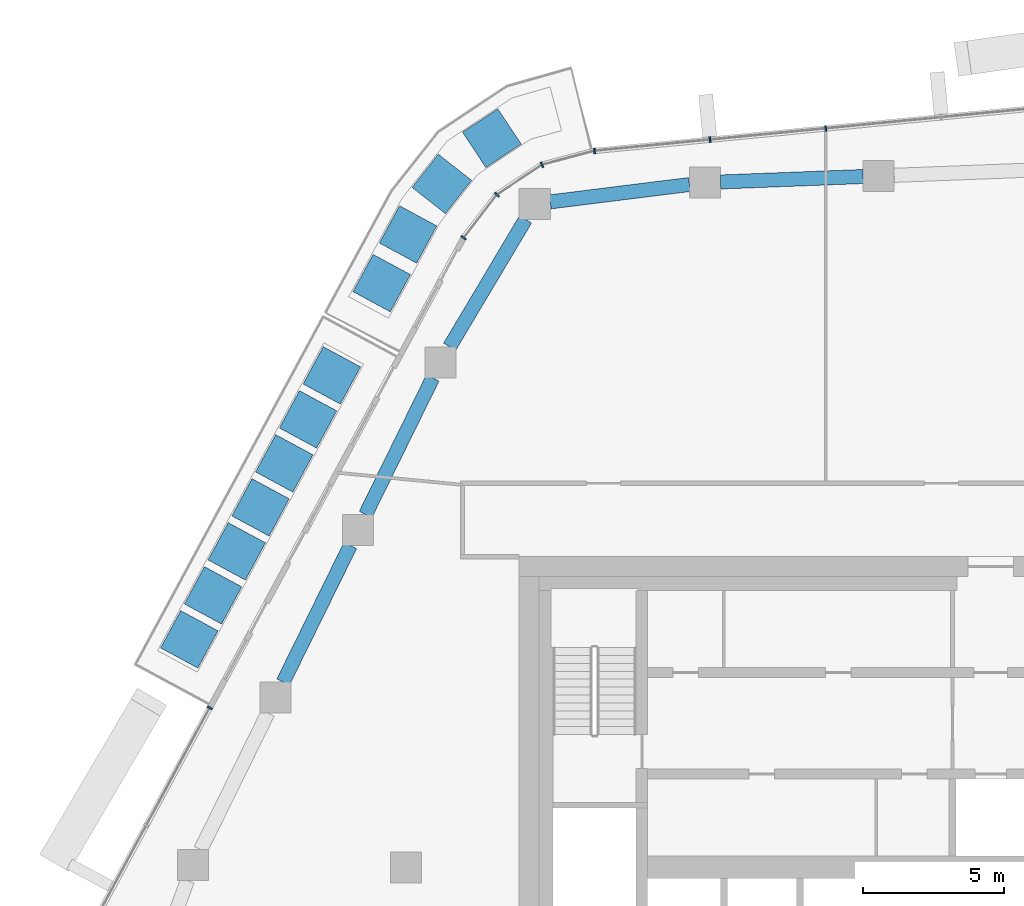
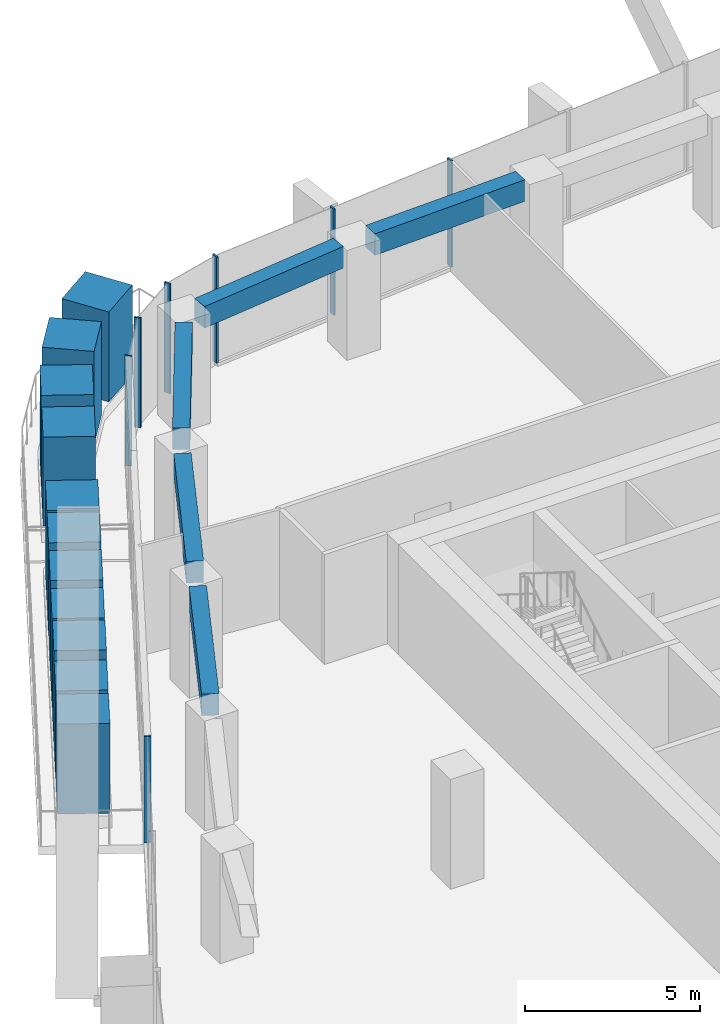
# One storey, part 6 of 20: 18 members, 5 beams, 3 elements without a shape of their own.
"""IFC4 building model written with IfcOpenShell, lengths in metres."""

from ifc_helpers import new_model, si_unit, direction, frame, origin, origin_2d, place, context, subcontext, project, spatial, rectangle, extrude, material, layer, layer_set, material_profile, profile_set, type_object, element, aggregate, save


model = new_model("IFC4")

# Units and contexts
model_context = context("Model", 3, precision=1e-05, world=origin(), true_north=direction((0.0, 1.0)))
body_context = subcontext(model_context, "Body", "Model", "MODEL_VIEW")
ifc_project = project(units=[si_unit("LENGTHUNIT", "METRE"), si_unit("AREAUNIT", "SQUARE_METRE"), si_unit("VOLUMEUNIT", "CUBIC_METRE"), si_unit("PLANEANGLEUNIT", "RADIAN"), si_unit("MASSUNIT", "GRAM", prefix="KILO")], contexts=[model_context])

# Site, building, storey
site_placement = place(None, origin())
site = spatial("IfcSite", under=ifc_project, at=site_placement, CompositionType="ELEMENT")
building_placement = place(site_placement, origin())
building = spatial("IfcBuilding", under=site, at=building_placement, Name="Dongbaek Canopy Tower", CompositionType="ELEMENT")
storey_placement = place(building_placement, frame((0.0, 0.0, 253.800048828125)))
storey = spatial("IfcBuildingStorey", under=building, at=storey_placement, Name="L53", CompositionType="ELEMENT", Elevation=253.800048828125)

# Curtain wall, members
ifc_material_1 = material(Name="Aluminium 6063-T6 pale anodised", Category="aluminium")
ifc_layer = layer(ifc_material_1, 0.199951171875)
ifc_layer_set = layer_set([ifc_layer], Name="CW-1 unitised tower curtain wall")
curtain_wall_type = type_object("IfcCurtainWallType", Name="CW-1 unitised tower curtain wall", PredefinedType="NOTDEFINED", material=ifc_layer_set)
curtain_wall_1_placement = place(storey_placement, origin())
curtain_wall_1 = element("IfcCurtainWall", 1, at=curtain_wall_1_placement, inside=storey, type_object=curtain_wall_type, Name="CW-1 curtain wall F1.1", PredefinedType="NOTDEFINED")
ifc_material_2 = material(Name="Aluminium 6063-T6 pale anodised", Category="aluminium")
ifc_material_profile_1 = material_profile(ifc_material_2, rectangle(XDim=0.199951171875, YDim=0.06005859375, at=origin_2d()), Name="CW-1 mullion 60 x 200")
ifc_profile_set_1 = profile_set([ifc_material_profile_1], Name="Aluminium 6063-T6 pale anodised")
member_type_1 = type_object("IfcMemberType", Name="CW-1 mullion 60 x 200", PredefinedType="MULLION", material=ifc_profile_set_1)
member_1_placement = place(storey_placement, frame((-3.141357421875, 26.161376953125, 0.119873046875), z_axis=(0.0, 0.0, 1.0), x_axis=(-0.096505718384, 0.995332430055, 0.0)))
member_1 = element("IfcMember", 2, at=member_1_placement, type_object=member_type_1, Name="CW-1 mullion F1.1.4", PredefinedType="MULLION", context=body_context, shape_type="SweptSolid", body=[
    extrude(rectangle(XDim=0.199951171875, YDim=0.06005859375, at=origin_2d()), origin(), (0.0, 0.0, 1.0), 3.7001953125),
])
member_2_placement = place(storey_placement, frame((-7.237548828125, 25.76416015625, 0.119873046875), z_axis=(0.0, 0.0, 1.0), x_axis=(-0.096505718384, 0.995332430055, 0.0)))
member_2 = element("IfcMember", 3, at=member_2_placement, type_object=member_type_1, Name="CW-1 mullion F1.1.5", PredefinedType="MULLION", context=body_context, shape_type="SweptSolid", body=[
    extrude(rectangle(XDim=0.199951171875, YDim=0.06005859375, at=origin_2d()), origin(), (0.0, 0.0, 1.0), 3.7001953125),
])
member_3_placement = place(storey_placement, frame((-11.325927734375, 25.36767578125, 0.119873046875), z_axis=(0.0, 0.0, 1.0), x_axis=(-0.096505718384, 0.995332430055, 0.0)))
member_3 = element("IfcMember", 4, at=member_3_placement, type_object=member_type_1, Name="CW-1 mullion F1.1.6", PredefinedType="MULLION", context=body_context, shape_type="SweptSolid", body=[
    extrude(rectangle(XDim=0.199951171875, YDim=0.06005859375, at=origin_2d()), origin(), (0.0, 0.0, 1.0), 3.7001953125),
])
aggregate(curtain_wall_1, [member_1, member_2, member_3])

curtain_wall_2_placement = place(storey_placement, origin())
curtain_wall_2 = element("IfcCurtainWall", 5, at=curtain_wall_2_placement, inside=storey, type_object=curtain_wall_type, Name="CW-1 curtain wall K2.1", PredefinedType="NOTDEFINED")
member_4_placement = place(storey_placement, frame((-13.185791015625, 24.873291015625, 0.0), z_axis=(0.0, 0.0, 1.0), x_axis=(-0.410472209051, 0.911873108276, 0.0)))
member_4 = element("IfcMember", 6, at=member_4_placement, type_object=member_type_1, Name="CW-1 mullion K2.1.2", PredefinedType="MULLION", context=body_context, shape_type="SweptSolid", body=[
    extrude(rectangle(XDim=0.199951171875, YDim=0.06005859375, at=origin_2d()), origin(), (0.0, 0.0, 1.0), 3.820068359375),
])
member_5_placement = place(storey_placement, frame((-14.7822265625, 23.813232421875, 0.0), z_axis=(0.0, 0.0, 1.0), x_axis=(-0.681117292173, 0.732174319615, 0.0)))
member_5 = element("IfcMember", 7, at=member_5_placement, type_object=member_type_1, Name="CW-1 mullion K2.1.3", PredefinedType="MULLION", context=body_context, shape_type="SweptSolid", body=[
    extrude(rectangle(XDim=0.199951171875, YDim=0.06005859375, at=origin_2d()), origin(), (0.0, 0.0, 1.0), 3.820068359375),
])
member_6_placement = place(storey_placement, frame((-15.959716796875, 22.291015625, 0.0), z_axis=(0.0, 0.0, 1.0), x_axis=(-0.791002228387, 0.611813267825, 0.0)))
member_6 = element("IfcMember", 8, at=member_6_placement, type_object=member_type_1, Name="CW-1 mullion K2.1.4", PredefinedType="MULLION", context=body_context, shape_type="SweptSolid", body=[
    extrude(rectangle(XDim=0.199951171875, YDim=0.06005859375, at=origin_2d()), origin(), (0.0, 0.0, 1.0), 3.820068359375),
])
aggregate(curtain_wall_2, [member_4, member_5, member_6])

# Curtain wall, member
curtain_wall_3_placement = place(storey_placement, origin())
curtain_wall_3 = element("IfcCurtainWall", 9, at=curtain_wall_3_placement, inside=storey, type_object=curtain_wall_type, Name="CW-1 curtain wall F2.1", PredefinedType="NOTDEFINED")
member_7_placement = place(storey_placement, frame((-24.94677734375, 5.65087890625, 0.119873046875), z_axis=(0.0, 0.0, 1.0), x_axis=(-0.879876973154, 0.475201548938, 0.0)))
member_7 = element("IfcMember", 10, at=member_7_placement, type_object=member_type_1, Name="CW-1 mullion F2.1.1", PredefinedType="MULLION", context=body_context, shape_type="SweptSolid", body=[
    extrude(rectangle(XDim=0.199951171875, YDim=0.06005859375, at=origin_2d()), origin(), (0.0, 0.0, 1.0), 3.7001953125),
])
aggregate(curtain_wall_3, [member_7])

# Beams
ifc_material_3 = material(Name="Concrete C70", Category="concrete")
ifc_material_profile_2 = material_profile(ifc_material_3, rectangle(XDim=0.5, YDim=0.75, at=origin_2d()), Name="RC EDGE BEAM 500x750 C70")
ifc_profile_set_2 = profile_set([ifc_material_profile_2], Name="Concrete C70")
beam_type = type_object("IfcBeamType", Name="RC EDGE BEAM 500x750 C70", PredefinedType="BEAM", material=ifc_profile_set_2)
beam_1_placement = place(storey_placement, frame((-22.350341796875, 6.56103515625, 3.445068359375), z_axis=(0.441366916234, 0.897326721576, 0.0), x_axis=(-0.897326721576, 0.441366916234, 0.0)))
element("IfcBeam", 11, at=beam_1_placement, inside=storey, type_object=beam_type, Name="EDGEBEAM:L53:10", PredefinedType="BEAM", context=body_context, shape_type="SweptSolid", body=[
    extrude(rectangle(XDim=0.5, YDim=0.75, at=origin_2d()), origin(), (0.0, 0.0, 1.0), 5.38720703125),
])
beam_2_placement = place(storey_placement, frame((-19.431396484375, 12.4951171875, 3.445068359375), z_axis=(0.441347181793, 0.89733642806, 0.0), x_axis=(-0.89733642806, 0.441347181793, 0.0)))
element("IfcBeam", 12, at=beam_2_placement, inside=storey, type_object=beam_type, Name="EDGEBEAM:L53:11", PredefinedType="BEAM", context=body_context, shape_type="SweptSolid", body=[
    extrude(rectangle(XDim=0.5, YDim=0.75, at=origin_2d()), origin(), (0.0, 0.0, 1.0), 5.3857421875),
])
beam_3_placement = place(storey_placement, frame((-16.45654296875, 18.427978515625, 3.445068359375), z_axis=(0.511587639318, 0.85923110238, 0.0), x_axis=(-0.85923110238, 0.511587639318, 0.0)))
element("IfcBeam", 13, at=beam_3_placement, inside=storey, type_object=beam_type, Name="EDGEBEAM:L53:12", PredefinedType="BEAM", context=body_context, shape_type="SweptSolid", body=[
    extrude(rectangle(XDim=0.5, YDim=0.75, at=origin_2d()), origin(), (0.0, 0.0, 1.0), 5.252197265625),
])
beam_4_placement = place(storey_placement, frame((-12.89208984375, 23.5595703125, 3.445068359375), z_axis=(0.992305840698, 0.123810817446, 0.0), x_axis=(-0.123810817446, 0.992305840698, 0.0)))
element("IfcBeam", 14, at=beam_4_placement, inside=storey, type_object=beam_type, Name="EDGEBEAM:L53:13", PredefinedType="BEAM", context=body_context, shape_type="SweptSolid", body=[
    extrude(rectangle(XDim=0.5, YDim=0.75, at=origin_2d()), origin(), (0.0, 0.0, 1.0), 4.965087890625),
])
beam_5_placement = place(storey_placement, frame((-6.864990234375, 24.26416015625, 3.445068359375), z_axis=(0.999263812988, 0.038364463397, 0.0), x_axis=(-0.038364463397, 0.999263812988, 0.0)))
element("IfcBeam", 15, at=beam_5_placement, inside=storey, type_object=beam_type, Name="EDGEBEAM:L53:14", PredefinedType="BEAM", context=body_context, shape_type="SweptSolid", body=[
    extrude(rectangle(XDim=0.5, YDim=0.75, at=origin_2d()), origin(), (0.0, 0.0, 1.0), 5.052734375),
])

# Members
ifc_material_4 = material(Name="Concrete C40/50 planter mass with planting", Category="concrete")
ifc_material_profile_3 = material_profile(ifc_material_4, rectangle(XDim=1.5, YDim=1.5, at=origin_2d()), Name="Terrace PLANTER shrub mass 1500 x 1500")
ifc_profile_set_3 = profile_set([ifc_material_profile_3], Name="Concrete C40/50 planter mass with planting")
member_type_2 = type_object("IfcMemberType", Name="Terrace PLANTER shrub mass 1500 x 1500", PredefinedType="USERDEFINED", material=ifc_profile_set_3)
member_8_placement = place(storey_placement, frame((-20.626708984375, 17.416259765625, 0.419921875), z_axis=(0.0, 0.0, 1.0), x_axis=(-0.879876973154, 0.475201548938, 0.0)))
element("IfcMember", 16, at=member_8_placement, inside=storey, type_object=member_type_2, Name="Planter shrubs L53 2.1", ObjectType="PLANTER", PredefinedType="USERDEFINED", context=body_context, shape_type="SweptSolid", body=[
    extrude(rectangle(XDim=1.5, YDim=1.5, at=origin_2d()), origin(), (0.0, 0.0, 1.0), 3.130126953125),
])
member_9_placement = place(storey_placement, frame((-21.468017578125, 15.85888671875, 0.419921875), z_axis=(0.0, 0.0, 1.0), x_axis=(-0.879876973154, 0.475201548938, 0.0)))
element("IfcMember", 17, at=member_9_placement, inside=storey, type_object=member_type_2, Name="Planter shrubs L53 2.2", ObjectType="PLANTER", PredefinedType="USERDEFINED", context=body_context, shape_type="SweptSolid", body=[
    extrude(rectangle(XDim=1.5, YDim=1.5, at=origin_2d()), origin(), (0.0, 0.0, 1.0), 3.25),
])
member_10_placement = place(storey_placement, frame((-22.30908203125, 14.301513671875, 0.419921875), z_axis=(0.0, 0.0, 1.0), x_axis=(-0.879876973154, 0.475201548938, 0.0)))
element("IfcMember", 18, at=member_10_placement, inside=storey, type_object=member_type_2, Name="Planter shrubs L53 2.3", ObjectType="PLANTER", PredefinedType="USERDEFINED", context=body_context, shape_type="SweptSolid", body=[
    extrude(rectangle(XDim=1.5, YDim=1.5, at=origin_2d()), origin(), (0.0, 0.0, 1.0), 3.169921875),
])
member_11_placement = place(storey_placement, frame((-23.150146484375, 12.744140625, 0.419921875), z_axis=(0.0, 0.0, 1.0), x_axis=(-0.879876973154, 0.475201548938, 0.0)))
element("IfcMember", 19, at=member_11_placement, inside=storey, type_object=member_type_2, Name="Planter shrubs L53 2.4", ObjectType="PLANTER", PredefinedType="USERDEFINED", context=body_context, shape_type="SweptSolid", body=[
    extrude(rectangle(XDim=1.5, YDim=1.5, at=origin_2d()), origin(), (0.0, 0.0, 1.0), 3.090087890625),
])
member_12_placement = place(storey_placement, frame((-23.9912109375, 11.186767578125, 0.419921875), z_axis=(0.0, 0.0, 1.0), x_axis=(-0.879876973154, 0.475201548938, 0.0)))
element("IfcMember", 20, at=member_12_placement, inside=storey, type_object=member_type_2, Name="Planter shrubs L53 2.5", ObjectType="PLANTER", PredefinedType="USERDEFINED", context=body_context, shape_type="SweptSolid", body=[
    extrude(rectangle(XDim=1.5, YDim=1.5, at=origin_2d()), origin(), (0.0, 0.0, 1.0), 3.2099609375),
])
member_13_placement = place(storey_placement, frame((-24.832275390625, 9.62939453125, 0.419921875), z_axis=(0.0, 0.0, 1.0), x_axis=(-0.879876973154, 0.475201548938, 0.0)))
element("IfcMember", 21, at=member_13_placement, inside=storey, type_object=member_type_2, Name="Planter shrubs L53 2.6", ObjectType="PLANTER", PredefinedType="USERDEFINED", context=body_context, shape_type="SweptSolid", body=[
    extrude(rectangle(XDim=1.5, YDim=1.5, at=origin_2d()), origin(), (0.0, 0.0, 1.0), 3.050048828125),
])
for number, where, z_axis, x_axis, name in (
    (22, (-25.673583984375, 8.072021484375, 0.419921875), (0.0, 0.0, 1.0), (-0.879876973154, 0.475201548938, 0.0), "Planter shrubs L53 2.7"),
    (23, (-14.961669921875, 25.81591796875, 0.419921875), (0.0, 0.0, 1.0), (-0.553140871251, 0.833087736407, 0.0), "Planter shrubs L53 6.1"),
):
    element("IfcMember", number, at=place(storey_placement, frame(where, z_axis=z_axis, x_axis=x_axis)), inside=storey, type_object=member_type_2, Name=name, ObjectType="PLANTER", PredefinedType="USERDEFINED", context=body_context, shape_type="SweptSolid", body=[
        extrude(rectangle(XDim=1.5, YDim=1.5, at=origin_2d()), origin(), (0.0, 0.0, 1.0), 3.130126953125),
    ])
member_14_placement = place(storey_placement, frame((-16.7314453125, 24.196044921875, 0.419921875), z_axis=(0.0, 0.0, 1.0), x_axis=(-0.786623441478, 0.617433041971, 0.0)))
element("IfcMember", 24, at=member_14_placement, inside=storey, type_object=member_type_2, Name="Planter shrubs L53 6.2", ObjectType="PLANTER", PredefinedType="USERDEFINED", context=body_context, shape_type="SweptSolid", body=[
    extrude(rectangle(XDim=1.5, YDim=1.5, at=origin_2d()), origin(), (0.0, 0.0, 1.0), 3.25),
])
member_15_placement = place(storey_placement, frame((-17.92724609375, 22.40625, 0.419921875), z_axis=(0.0, 0.0, 1.0), x_axis=(-0.879194337268, 0.476463343097, 0.0)))
element("IfcMember", 25, at=member_15_placement, inside=storey, type_object=member_type_2, Name="Planter shrubs L53 6.3", ObjectType="PLANTER", PredefinedType="USERDEFINED", context=body_context, shape_type="SweptSolid", body=[
    extrude(rectangle(XDim=1.5, YDim=1.5, at=origin_2d()), origin(), (0.0, 0.0, 1.0), 3.169921875),
])
member_16_placement = place(storey_placement, frame((-18.860595703125, 20.683837890625, 0.419921875), z_axis=(0.0, 0.0, 1.0), x_axis=(-0.879194337268, 0.476463343097, 0.0)))
element("IfcMember", 26, at=member_16_placement, inside=storey, type_object=member_type_2, Name="Planter shrubs L53 6.4", ObjectType="PLANTER", PredefinedType="USERDEFINED", context=body_context, shape_type="SweptSolid", body=[
    extrude(rectangle(XDim=1.5, YDim=1.5, at=origin_2d()), origin(), (0.0, 0.0, 1.0), 3.090087890625),
])

save(model, "model.ifc")
